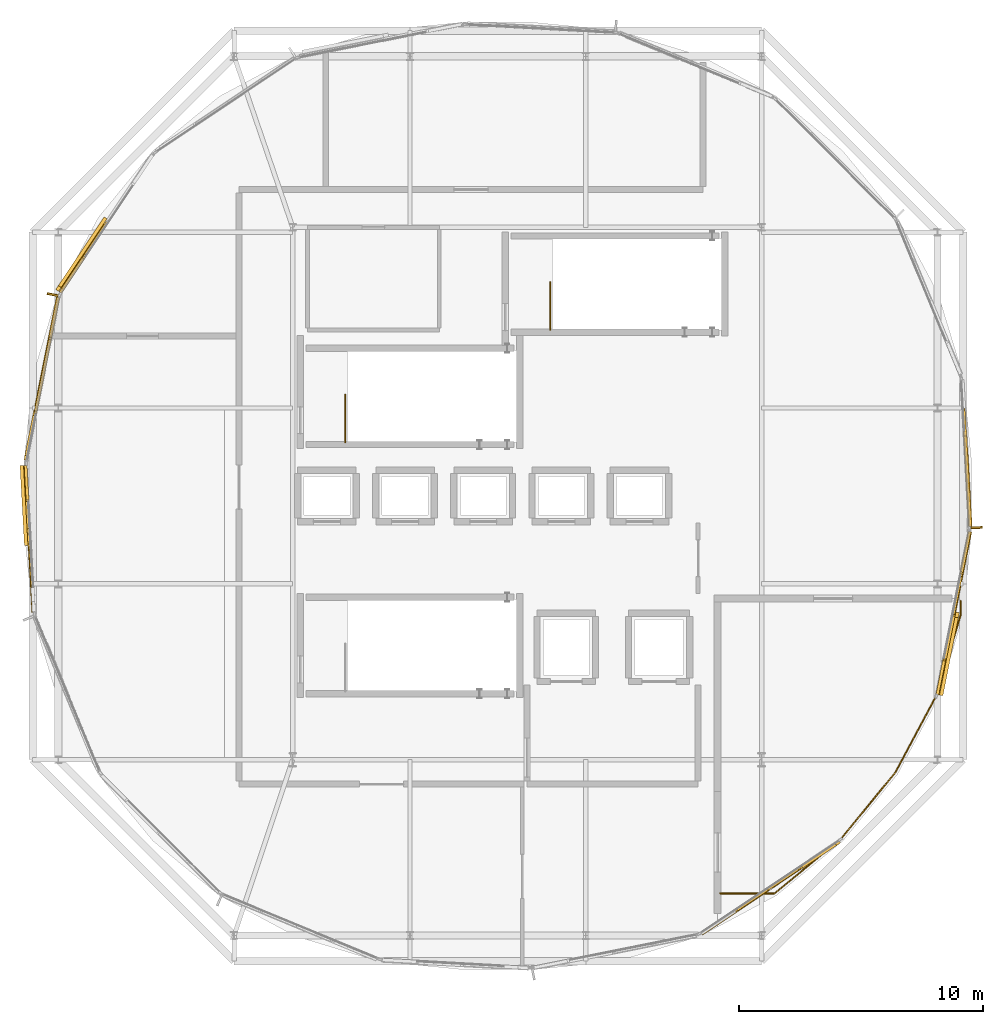
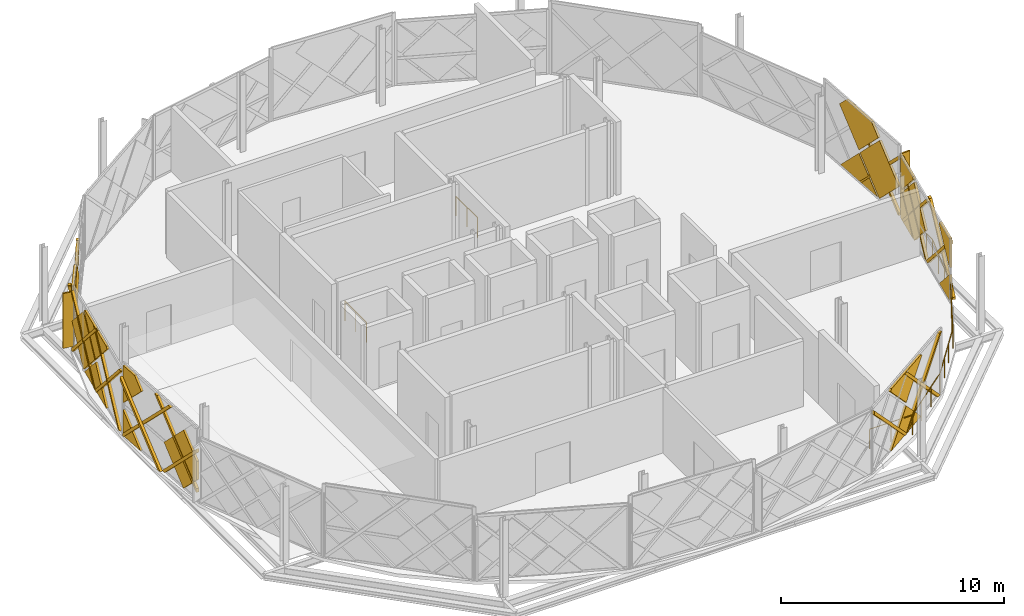
# One storey, part 13 of 15: 38 coverings, 3 railings, 2 shading devices.
"""IFC4 building model written with IfcOpenShell, lengths in metres."""

import ifcopenshell
import ifcopenshell.guid

model = None  # the IFC model being written
_history = None  # IfcOwnerHistory: only IFC2X3 demands one
_inside = {}  # id of a spatial element -> (the spatial element, [elements in it])
_under = {}  # id of a project, library or spatial element -> (it, [spatial elements below it])
_declared = {}  # id of a project -> (the project, [libraries it declares])
_typed = {}  # id of a type object -> (the type object, [elements of that type])
_made_of = {}  # id of a material, layer set ... -> (it, [elements and type objects made of it])


def new_model(schema):
    """Start an empty IFC model of exactly this schema.

    Asked for "IFC4X3", IfcOpenShell would pick the latest addendum, in which some entities
    have other attributes; the version numbers below select the first issue.
    IFC2X3 requires an IfcOwnerHistory on every rooted entity: one is made here for all.
    """
    global model, _history
    if schema == "IFC4X3":
        model = ifcopenshell.file(schema_version=(4, 3, 0, 0))
    else:
        model = ifcopenshell.file(schema=schema)
    _inside.clear()
    _under.clear()
    _declared.clear()
    _typed.clear()
    _made_of.clear()
    _history = None
    if model.schema == "IFC2X3":
        org = make("IfcOrganization", Name="unknown")
        user = make(
            "IfcPersonAndOrganization",
            ThePerson=make("IfcPerson", FamilyName="unknown"),
            TheOrganization=org,
        )
        app = make(
            "IfcApplication",
            ApplicationDeveloper=org,
            Version="unknown",
            ApplicationFullName="unknown",
            ApplicationIdentifier="unknown",
        )
        _history = make(
            "IfcOwnerHistory",
            OwningUser=user,
            OwningApplication=app,
            ChangeAction="ADDED",
            CreationDate=0,
        )
    return model


def make(cls, **values):
    """One entity of the class cls with the attributes given. An attribute that is None is left unset."""
    return model.create_entity(
        cls, **{name: value for name, value in values.items() if value is not None}
    )


def rooted(cls, **values):
    """An entity with a GlobalId (a new one), such as an element, a storey or a relation."""
    return make(cls, GlobalId=ifcopenshell.guid.new(), OwnerHistory=_history, **values)


def si_unit(unit_type, name, prefix=None):
    """IfcSIUnit, for example si_unit("LENGTHUNIT", "METRE", prefix="MILLI")."""
    return make("IfcSIUnit", UnitType=unit_type, Prefix=prefix, Name=name)


def assignment(units):
    """IfcUnitAssignment: the units of a project."""
    return None if units is None else make("IfcUnitAssignment", Units=units)


def point(xyz):
    """IfcCartesianPoint."""
    return None if xyz is None else make("IfcCartesianPoint", Coordinates=xyz)


def direction(xyz):
    """IfcDirection."""
    return None if xyz is None else make("IfcDirection", DirectionRatios=xyz)


def frame(location, z_axis=None, x_axis=None):
    """IfcAxis2Placement3D, a coordinate frame: its origin and axes. An axis left out is left unset."""
    return make(
        "IfcAxis2Placement3D",
        Location=point(location),
        Axis=direction(z_axis),
        RefDirection=direction(x_axis),
    )


def frame_2d(location, x_axis=None):
    """IfcAxis2Placement2D, a coordinate frame in the plane: its origin and x axis."""
    return make(
        "IfcAxis2Placement2D", Location=point(location), RefDirection=direction(x_axis)
    )


def origin():
    """The frame at (0, 0, 0) with its axes left unset."""
    return frame((0.0, 0.0, 0.0))


def origin_2d():
    """The frame at (0, 0) in the plane with its x axis left unset."""
    return frame_2d((0.0, 0.0))


def place(relative_to, where):
    """IfcLocalPlacement: puts the frame where relative to a parent placement (None: the world)."""
    return make(
        "IfcLocalPlacement", PlacementRelTo=relative_to, RelativePlacement=where
    )


def context(
    kind, dimensions, precision=None, world=None, true_north=None, identifier=None
):
    """IfcGeometricRepresentationContext, for example the 3D "Model" context."""
    return make(
        "IfcGeometricRepresentationContext",
        ContextIdentifier=identifier,
        ContextType=kind,
        CoordinateSpaceDimension=dimensions,
        Precision=precision,
        WorldCoordinateSystem=world,
        TrueNorth=true_north,
    )


def subcontext(parent, identifier, kind, view, scale=None):
    """IfcGeometricRepresentationSubContext, for example "Body" below "Model"."""
    return make(
        "IfcGeometricRepresentationSubContext",
        ContextIdentifier=identifier,
        ContextType=kind,
        ParentContext=parent,
        TargetScale=scale,
        TargetView=view,
    )


def project(units=None, contexts=None):
    """IfcProject with its units and contexts."""
    return rooted(
        "IfcProject",
        Name="project",
        RepresentationContexts=contexts,
        UnitsInContext=assignment(units),
    )


def spatial(cls, under=None, at=None, **own):
    """A site, building, storey or space (cls), placed at a placement, below another one or the project."""
    s = rooted(cls, ObjectPlacement=at, **own)
    if under is not None:
        _under.setdefault(under.id(), (under, []))[1].append(s)
    return s


def polyline(points):
    """IfcPolyline through the points."""
    return make("IfcPolyline", Points=[point(p) for p in points])


def profile(cls, at=None, kind="AREA", **sizes):
    """A parametric profile (cls). Its sizes go by their IFC names, for example OverallWidth=200.0."""
    return make(cls, ProfileType=kind, Position=at, **sizes)


def rectangle(**sizes):
    """IfcRectangleProfileDef."""
    return profile("IfcRectangleProfileDef", **sizes)


def circle(**sizes):
    """IfcCircleProfileDef."""
    return profile("IfcCircleProfileDef", **sizes)


def outline(outer, holes=None, kind="AREA"):
    """IfcArbitraryClosedProfileDef: a profile drawn as a closed curve; with holes, ...WithVoids."""
    if holes is None:
        return make("IfcArbitraryClosedProfileDef", ProfileType=kind, OuterCurve=outer)
    return make(
        "IfcArbitraryProfileDefWithVoids",
        ProfileType=kind,
        OuterCurve=outer,
        InnerCurves=holes,
    )


def extrude(swept, where, along, depth):
    """IfcExtrudedAreaSolid: the profile swept, set in the frame where, extruded along a direction by depth."""
    return make(
        "IfcExtrudedAreaSolid",
        SweptArea=swept,
        Position=where,
        ExtrudedDirection=direction(along),
        Depth=depth,
    )


def shape(context_of_items, identifier, shape_type, items):
    """IfcShapeRepresentation: the items that make up one representation, for example the "Body"."""
    return make(
        "IfcShapeRepresentation",
        ContextOfItems=context_of_items,
        RepresentationIdentifier=identifier,
        RepresentationType=shape_type,
        Items=items,
    )


def material(Name=None, Category=None):
    """IfcMaterial."""
    return make("IfcMaterial", Name=Name, Category=Category)


def layer(
    of_material, thickness, ventilated=None, Name=None, Category=None, Priority=None
):
    """IfcMaterialLayer: one layer of a wall or slab, of a material (None: an air gap)."""
    return make(
        "IfcMaterialLayer",
        Material=of_material,
        LayerThickness=thickness,
        IsVentilated=ventilated,
        Name=Name,
        Category=Category,
        Priority=Priority,
    )


def layer_set(layers, Name=None):
    """IfcMaterialLayerSet."""
    return make("IfcMaterialLayerSet", MaterialLayers=layers, LayerSetName=Name)


def made_of(thing, what):
    """Note that an element or type object is made of a material, layer set ...; save() writes the relation."""
    if what is not None:
        _made_of.setdefault(what.id(), (what, []))[1].append(thing)
    return thing


def type_object(cls, material=None, **own):
    """A type object (cls), such as IfcWallType, which elements share."""
    return made_of(rooted(cls, **own), material)


def element(
    cls,
    number,
    at=None,
    inside=None,
    cuts=None,
    type_object=None,
    material=None,
    context=None,
    identifier="Body",
    shape_type=None,
    held_by="IfcProductDefinitionShape",
    body=None,
    shapes=None,
    **own,
):
    """One element of the class cls, such as IfcWall. Its Tag is "e" and its number.

    at: its placement. inside: the storey or other place that contains it. cuts: it is an
    opening in that element (IfcRelVoidsElement). A single representation is given by context,
    identifier, shape_type and body (its items); several are given by shapes. held_by: the class
    of the entity that holds the representations. save() writes the other relations.
    """
    e = rooted(cls, Tag="e%d" % number, ObjectPlacement=at, **own)
    if body is not None:
        shapes = [shape(context, identifier, shape_type, body)]
    if shapes is not None:
        e.Representation = make(held_by, Representations=shapes)
    if inside is not None:
        _inside.setdefault(inside.id(), (inside, []))[1].append(e)
    if cuts is not None:
        rooted(
            "IfcRelVoidsElement", RelatingBuildingElement=cuts, RelatedOpeningElement=e
        )
    if type_object is not None:
        _typed.setdefault(type_object.id(), (type_object, []))[1].append(e)
    return made_of(e, material)


def aggregate(whole, parts):
    """IfcRelAggregates: a whole, such as a stair, and the parts it consists of."""
    return rooted("IfcRelAggregates", RelatingObject=whole, RelatedObjects=parts)


def save(model, path):
    """Write the relations noted so far, then the file.

    IfcRelAggregates (storeys below a building ...), IfcRelContainedInSpatialStructure (elements
    in a storey), IfcRelDefinesByType, IfcRelAssociatesMaterial and IfcRelDeclares: one each for
    every whole, place, type object, material and project.
    """
    for whole, parts in _under.values():
        aggregate(whole, parts)
    for where, things in _inside.values():
        rooted(
            "IfcRelContainedInSpatialStructure",
            RelatedElements=things,
            RelatingStructure=where,
        )
    for kind, things in _typed.values():
        rooted("IfcRelDefinesByType", RelatedObjects=things, RelatingType=kind)
    for what, things in _made_of.values():
        rooted("IfcRelAssociatesMaterial", RelatedObjects=things, RelatingMaterial=what)
    for by, libraries in _declared.values():
        rooted("IfcRelDeclares", RelatingContext=by, RelatedDefinitions=libraries)
    model.write(path)


model = new_model("IFC4")

# Units and contexts
model_context = context("Model", 3, precision=1e-05, world=origin(), true_north=direction((0.0, 1.0)))
body_context = subcontext(model_context, "Body", "Model", "MODEL_VIEW")
ifc_project = project(units=[si_unit("LENGTHUNIT", "METRE"), si_unit("AREAUNIT", "SQUARE_METRE"), si_unit("VOLUMEUNIT", "CUBIC_METRE"), si_unit("PLANEANGLEUNIT", "RADIAN"), si_unit("MASSUNIT", "GRAM", prefix="KILO")], contexts=[model_context])

# Site, building, storey
site_placement = place(None, origin())
site = spatial("IfcSite", under=ifc_project, at=site_placement, CompositionType="ELEMENT")
building_placement = place(site_placement, origin())
building = spatial("IfcBuilding", under=site, at=building_placement, Name="Zevrakil Square Congress Hotel", CompositionType="ELEMENT")
storey_placement = place(building_placement, frame((0.0, 0.0, 41.89990234375)))
storey = spatial("IfcBuildingStorey", under=building, at=storey_placement, Name="L12", CompositionType="ELEMENT", Elevation=41.89990234375)

# Coverings
ifc_material_1 = material(Name="Architectural White Fibre-C GRC", Category="concrete")
ifc_layer_1 = layer(ifc_material_1, 0.06494140625)
ifc_layer_set_1 = layer_set([ifc_layer_1], Name="Architectural White Fibre-C GRC")
covering_type_1 = type_object("IfcCoveringType", Name="COV-DIA-WHITE", PredefinedType="CLADDING", material=ifc_layer_set_1)
covering_1_placement = place(storey_placement, frame((156.273193359375, 11.444091796875, 1.590087890625), z_axis=(0.555613914811, -0.831440290097, 0.000470819983), x_axis=(0.588097690414, 0.392598652582, -0.707112016954)))
element("IfcCovering", 1, at=covering_1_placement, inside=storey, type_object=covering_type_1, Name="L12 45-degree white GRC diamond facade cassette 3372", PredefinedType="CLADDING", context=body_context, shape_type="SweptSolid", body=[
    extrude(outline(polyline([(0.0, 0.0), (2.135460477860268, 0.0), (-1.6886667050464155e-05, -2.135509462522048), (0.0, 0.0)])), origin(), (0.0, 0.0, -1.0), 0.1201171875),
])
covering_2_placement = place(storey_placement, frame((157.594482421875, 12.32861328125, 3.360107421875), z_axis=(0.555602557104, -0.831447831009, 0.000550318214), x_axis=(-0.587707157444, -0.393194522153, -0.707105624952)))
element("IfcCovering", 2, at=covering_2_placement, inside=storey, type_object=covering_type_1, Name="L12 45-degree white GRC diamond facade cassette 3374", PredefinedType="CLADDING", context=body_context, shape_type="SweptSolid", body=[
    extrude(outline(polyline([(0.0, 0.0), (2.2487276215310716, 2.220446049250313e-16), (2.2486370292819764, -2.2486303541890917), (2.107042840324609, -2.248595837797637), (3.495739969403e-05, -0.1415941680231837), (0.0, 0.0)])), origin(), (0.0, 0.0, -1.0), 0.1201171875),
])
covering_3_placement = place(storey_placement, frame((163.531982421875, 20.83544921875, 0.080078125), z_axis=(0.98077978732, -0.195117179225, 0.000543282518), x_axis=(-0.19511720802, -0.980779932061, 0.0)))
element("IfcCovering", 3, at=covering_3_placement, inside=storey, type_object=covering_type_1, Name="L12 45-degree white GRC diamond facade cassette 3379", PredefinedType="CLADDING", context=body_context, shape_type="SweptSolid", body=[
    extrude(outline(polyline([(0.0, 0.0), (1.4101600118571058, -2.710505431213761e-20), (1.4100634717428475, -1.4099123174469808), (0.0, 0.0)])), origin(), (0.0, 0.0, -1.0), 0.1201171875),
])
covering_4_placement = place(storey_placement, frame((164.547607421875, 25.9453125, 1.590087890625), z_axis=(0.980810810578, -0.194961039846, 0.000588893692), x_axis=(0.138313694839, 0.693693975851, -0.706864902006)))
element("IfcCovering", 4, at=covering_4_placement, inside=storey, type_object=covering_type_1, Name="L12 45-degree white GRC diamond facade cassette 3380", PredefinedType="CLADDING", context=body_context, shape_type="SweptSolid", body=[
    extrude(outline(polyline([(0.0, 0.0), (0.2628378948299487, 2.7755575615628914e-17), (1.1988473648698696, -0.9367190252322994), (-0.0005809603266280217, -2.135327424692421), (0.0, 0.0)])), origin(), (0.0, 0.0, -1.0), 0.1201171875),
])
covering_5_placement = place(storey_placement, frame((164.21875, 24.2978515625, 3.27001953125), z_axis=(0.980786643157, -0.195082493954, 0.000617380087), x_axis=(0.13838100073, 0.693479503733, -0.707062144751)))
element("IfcCovering", 5, at=covering_5_placement, inside=storey, type_object=covering_type_1, Name="L12 45-degree white GRC diamond facade cassette 3381", PredefinedType="CLADDING", context=body_context, shape_type="SweptSolid", body=[
    extrude(outline(polyline([(0.0, 0.0), (2.248520427707039, 0.0), (2.24851025485413, -2.24859305948536), (-0.00021657987084888752, -2.2484539862824393), (0.0, 0.0)])), origin(), (0.0, 0.0, -1.0), 0.1201171875),
])
covering_6_placement = place(storey_placement, frame((163.545654296875, 20.914306640625, 3.360107421875), z_axis=(0.980783225224, -0.195099732546, 0.000599566397), x_axis=(-0.137546593624, -0.693631553686, -0.707075810867)))
element("IfcCovering", 6, at=covering_6_placement, inside=storey, type_object=covering_type_1, Name="L12 45-degree white GRC diamond facade cassette 3382", PredefinedType="CLADDING", context=body_context, shape_type="SweptSolid", body=[
    extrude(outline(polyline([(0.0, 0.0), (2.1072567363946777, 0.0), (0.9829090309855207, -1.124376604088533), (-1.4030855387828223e-05, -0.1415392405659936), (0.0, 0.0)])), origin(), (0.0, 0.0, -1.0), 0.1201171875),
])
covering_7_placement = place(storey_placement, frame((164.54736328125, 25.945556640625, 1.77001953125), z_axis=(0.980796114926, -0.195034594535, 0.000698484779), x_axis=(-0.138392830653, -0.693421805028, 0.707116415264)))
element("IfcCovering", 7, at=covering_7_placement, inside=storey, type_object=covering_type_1, Name="L12 45-degree white GRC diamond facade cassette 3383", PredefinedType="CLADDING", context=body_context, shape_type="SweptSolid", body=[
    extrude(outline(polyline([(0.0, 0.0), (2.2486930536081644, -4.440892098500626e-16), (2.248748993797392, -0.1415056721594241), (1.064000417164113, -1.3262869885047448), (8.319983588322977e-05, -0.2626686333815287), (0.0, 0.0)])), origin(), (0.0, 0.0, -1.0), 0.1201171875),
])
covering_8_placement = place(storey_placement, frame((164.418701171875, 29.60400390625, 1.590087890625), z_axis=(0.998460888271, 0.055456575933, 0.000650213717), x_axis=(-0.038755609805, 0.706060903114, -0.707089813109)))
element("IfcCovering", 8, at=covering_8_placement, inside=storey, type_object=covering_type_1, Name="L12 45-degree white GRC diamond facade cassette 3388", PredefinedType="CLADDING", context=body_context, shape_type="SweptSolid", body=[
    extrude(outline(polyline([(0.0, 0.0), (2.135527535018303, 0.0), (-5.80548174178297e-06, -2.135431756369319), (0.0, 0.0)])), origin(), (0.0, 0.0, -1.0), 0.1201171875),
])
covering_9_placement = place(storey_placement, frame((164.5107421875, 27.926513671875, 3.27001953125), z_axis=(0.998461108085, 0.055453013416, 0.000615584083), x_axis=(-0.038778997556, 0.706085669274, -0.707063799805)))
element("IfcCovering", 9, at=covering_9_placement, inside=storey, type_object=covering_type_1, Name="L12 45-degree white GRC diamond facade cassette 3389", PredefinedType="CLADDING", context=body_context, shape_type="SweptSolid", body=[
    extrude(outline(polyline([(0.0, 0.0), (2.248515301207359, 0.0), (2.248511192906816, -2.248592121458437), (0.013987498737430881, -2.248412108657708), (-0.00016758709850495102, -2.2342553073038243), (0.0, 0.0)])), origin(), (0.0, 0.0, -1.0), 0.1201171875),
])
covering_10_placement = place(storey_placement, frame((164.32958984375, 31.19140625, 3.360107421875), z_axis=(0.998465891885, 0.055366096992, 0.000676791673), x_axis=(0.03962530668, -0.705954135799, -0.707148211635)))
element("IfcCovering", 10, at=covering_10_placement, inside=storey, type_object=covering_type_1, Name="L12 45-degree white GRC diamond facade cassette 3390", PredefinedType="CLADDING", context=body_context, shape_type="SweptSolid", body=[
    extrude(outline(polyline([(0.0, 0.0), (2.248592121651144, 0.0), (2.2484139116657342, -2.248678474069968), (1.4635271471982523, -2.2485374691506923), (-0.0001524445532873342, -0.7846858017921381), (0.0, 0.0)])), origin(), (0.0, 0.0, -1.0), 0.1201171875),
])
covering_11_placement = place(storey_placement, frame((127.336181640625, 36.116943359375, 1.590087890625), z_axis=(-0.83149600157, 0.555530546087, 0.000460149731), x_axis=(-0.392959632916, -0.587580436143, -0.707341471964)))
element("IfcCovering", 11, at=covering_11_placement, inside=storey, type_object=covering_type_1, Name="L12 45-degree white GRC diamond facade cassette 3444", PredefinedType="CLADDING", context=body_context, shape_type="SweptSolid", body=[
    extrude(outline(polyline([(0.0, 0.0), (0.26266104016860925, 2.7755575615628914e-17), (1.1993843025622417, -0.9360048723062939), (0.0008210011669953499, -2.1353644814832715), (0.0, 0.0)])), origin(), (0.0, 0.0, -1.0), 0.1201171875),
])
covering_12_placement = place(storey_placement, frame((128.2705078125, 37.51318359375, 3.27001953125), z_axis=(-0.831447252819, 0.555603302738, 0.000660126471), x_axis=(-0.393289765687, -0.587708802957, -0.707051287484)))
element("IfcCovering", 12, at=covering_12_placement, inside=storey, type_object=covering_type_1, Name="L12 45-degree white GRC diamond facade cassette 3445", PredefinedType="CLADDING", context=body_context, shape_type="SweptSolid", body=[
    extrude(outline(polyline([(0.0, 0.0), (2.248554996538099, 2.220446049250313e-16), (2.2483294687082087, -2.2487739437146597), (-0.00025466417865205315, -2.248457708989564), (0.0, 0.0)])), origin(), (0.0, 0.0, -1.0), 0.1201171875),
])
covering_13_placement = place(storey_placement, frame((127.336181640625, 36.11669921875, 1.77001953125), z_axis=(-0.831410617564, 0.555658230942, 0.000561594672), x_axis=(0.393240521858, 0.587676417287, 0.707105593623)))
element("IfcCovering", 13, at=covering_13_placement, inside=storey, type_object=covering_type_1, Name="L12 45-degree white GRC diamond facade cassette 3447", PredefinedType="CLADDING", context=body_context, shape_type="SweptSolid", body=[
    extrude(outline(polyline([(0.0, 0.0), (2.2487276240756104, -2.220446049250313e-16), (2.2489321438622762, -0.14135474365912315), (1.0639495599208637, -1.326333748480537), (0.00018270527290653593, -0.26256509025899477), (0.0, 0.0)])), origin(), (0.0, 0.0, -1.0), 0.1201171875),
])
covering_14_placement = place(storey_placement, frame((126.508056640625, 32.550048828125, 1.590087890625), z_axis=(-0.980775849818, 0.195136643984, 0.000650068185), x_axis=(-0.138441050637, -0.693462768921, -0.707066802798)))
element("IfcCovering", 14, at=covering_14_placement, inside=storey, type_object=covering_type_1, Name="L12 45-degree white GRC diamond facade cassette 3452", PredefinedType="CLADDING", context=body_context, shape_type="SweptSolid", body=[
    extrude(outline(polyline([(0.0, 0.0), (2.1355970322025484, 2.220446049250313e-16), (-0.00014038760997481248, -2.135496842071842), (0.0, 0.0)])), origin(), (0.0, 0.0, -1.0), 0.1201171875),
])
covering_15_placement = place(storey_placement, frame((126.836669921875, 34.197509765625, 3.27001953125), z_axis=(-0.98078722774, 0.195079513336, 0.000630379573), x_axis=(-0.138387909042, -0.693478130116, -0.707062139902)))
element("IfcCovering", 15, at=covering_15_placement, inside=storey, type_object=covering_type_1, Name="L12 45-degree white GRC diamond facade cassette 3453", PredefinedType="CLADDING", context=body_context, shape_type="SweptSolid", body=[
    extrude(outline(polyline([(0.0, 0.0), (2.2485204268085055, 0.0), (2.248340947077739, -2.2487623880298835), (0.013903480301973081, -2.248490761416264), (-0.00025157230347883086, -2.2343339270969453), (0.0, 0.0)])), origin(), (0.0, 0.0, -1.0), 0.1201171875),
])
covering_16_placement = place(storey_placement, frame((126.19873046875, 30.990234375, 3.360107421875), z_axis=(-0.980786789423, 0.195081316893, 0.000743970304), x_axis=(0.137431819154, 0.693645933616, -0.707084021784)))
element("IfcCovering", 16, at=covering_16_placement, inside=storey, type_object=covering_type_1, Name="L12 45-degree white GRC diamond facade cassette 3454", PredefinedType="CLADDING", context=body_context, shape_type="SweptSolid", body=[
    extrude(outline(polyline([(0.0, 0.0), (2.2487959518112532, 2.220446049250313e-16), (2.248667249613448, -2.2485237508599925), (2.107330925876984, -2.2487515452230444), (1.7869563929531762e-05, -0.14157303768129814), (0.0, 0.0)])), origin(), (0.0, 0.0, -1.0), 0.1201171875),
])
covering_17_placement = place(storey_placement, frame((125.8779296875, 27.443115234375, 0.080078125), z_axis=(-0.998463414112, -0.055412468352, 0.000518682293), x_axis=(-0.055412475806, 0.998463548421, 0.0)))
element("IfcCovering", 17, at=covering_17_placement, inside=storey, type_object=covering_type_1, Name="L12 45-degree white GRC diamond facade cassette 3459", PredefinedType="CLADDING", context=body_context, shape_type="SweptSolid", body=[
    extrude(outline(polyline([(0.0, 0.0), (1.4098810577275969, 6.776263578034403e-21), (1.409840472418169, -1.4099122990302972), (0.0, 0.0)])), origin(), (0.0, 0.0, -1.0), 0.1201171875),
])
covering_18_placement = place(storey_placement, frame((126.073486328125, 23.91845703125, 0.090087890625), z_axis=(-0.998460618618, -0.0554616513, 0.000631113979), x_axis=(-0.038771097402, 0.706031737026, 0.707118086544)))
element("IfcCovering", 18, at=covering_18_placement, inside=storey, type_object=covering_type_1, Name="L12 45-degree white GRC diamond facade cassette 3460", PredefinedType="CLADDING", context=body_context, shape_type="SweptSolid", body=[
    extrude(outline(polyline([(0.0, 0.0), (2.2486879309855077, 2.220446049250313e-16), (2.2486838232897752, -2.2484194836273446), (0.7152311075133274, -2.2485661465221063), (2.777916602558772e-05, -1.5336732561356485), (0.0, 0.0)])), origin(), (0.0, 0.0, -1.0), 0.1201171875),
])
covering_19_placement = place(storey_placement, frame((125.88427734375, 27.36328125, 3.360107421875), z_axis=(-0.998460503938, -0.055463316096, 0.000665313886), x_axis=(-0.039690083226, 0.706026217484, -0.707072611206)))
element("IfcCovering", 19, at=covering_19_placement, inside=storey, type_object=covering_type_1, Name="L12 45-degree white GRC diamond facade cassette 3461", PredefinedType="CLADDING", context=body_context, shape_type="SweptSolid", body=[
    extrude(outline(polyline([(0.0, 0.0), (2.107266094727944, -4.440892098500626e-16), (0.6613093950500104, -1.446000057935607), (0.00010376922300936453, -0.7848581719033845), (0.0, 0.0)])), origin(), (0.0, 0.0, -1.0), 0.1201171875),
])
ifc_material_2 = material(Name="Anodised Champagne Aluminium", Category="aluminium")
ifc_layer_2 = layer(ifc_material_2, 0.0849609375)
ifc_layer_set_2 = layer_set([ifc_layer_2], Name="Anodised Champagne Aluminium")
covering_type_2 = type_object("IfcCoveringType", Name="COV-DIAGRID-45", PredefinedType="MOLDING", material=ifc_layer_set_2)
covering_20_placement = place(storey_placement, frame((156.442138671875, 11.526123046875, 0.080078125), z_axis=(0.555428086845, -0.831564209921, 0.000777896343), x_axis=(-0.831564461277, -0.555428255259, -5.6098e-07)))
element("IfcCovering", 20, at=covering_20_placement, inside=storey, type_object=covering_type_2, Name="L12 45-degree aluminium diagrid rib 3376", PredefinedType="MOLDING", context=body_context, shape_type="SweptSolid", body=[
    extrude(outline(polyline([(0.0, 0.0), (0.21207553426084086, -1.3552527156068805e-20), (-3.167863575958578, -3.3801262102758773), (-3.359760518577808, -3.380125971968349), (-3.3597605070733447, -3.3596181656732247), (0.0, 0.0)])), origin(), (0.0, 0.0, -1.0), 0.14501953125),
])
covering_21_placement = place(storey_placement, frame((153.575927734375, 9.613037109375, 3.154052734375), z_axis=(0.556213109882, -0.831038562079, 0.001372855951), x_axis=(-0.001026421277, 0.000964992065, 0.999999007624)))
element("IfcCovering", 21, at=covering_21_placement, inside=storey, type_object=covering_type_2, Name="L12 45-degree aluminium diagrid rib 3377", PredefinedType="MOLDING", context=body_context, shape_type="SweptSolid", body=[
    extrude(outline(polyline([(0.0, 0.0), (0.21215847876926233, 2.710505431213761e-20), (-3.075016569942956, -3.285041773255902), (-3.0749494349344797, -3.0729661997775763), (0.0, 0.0)])), origin(), (0.0, 0.0, -1.0), 0.14501953125),
])
covering_22_placement = place(storey_placement, frame((156.114990234375, 11.309814453125, 3.460205078125), z_axis=(0.555761702849, -0.831341263579, 0.000795686425), x_axis=(0.83134152686, 0.555761878612, -2.54293e-07)))
element("IfcCovering", 22, at=covering_22_placement, inside=storey, type_object=covering_type_2, Name="L12 45-degree aluminium diagrid rib 3378", PredefinedType="MOLDING", context=body_context, shape_type="SweptSolid", body=[
    extrude(outline(polyline([(0.0, 0.0), (0.2122785427952238, 2.710505431213761e-20), (3.592144568090987, -3.3801271096755876), (3.380068989535719, -3.3801272175859336), (0.0, 0.0)])), origin(), (0.0, 0.0, -1.0), 0.14501953125),
])
covering_23_placement = place(storey_placement, frame((163.298095703125, 19.531982421875, 0.080078125), z_axis=(-0.980964860063, 0.19418509568, 0.000303211403), x_axis=(-0.194185104483, -0.980964905181, 4.14837e-07)))
element("IfcCovering", 23, at=covering_23_placement, inside=storey, type_object=covering_type_2, Name="L12 45-degree aluminium diagrid rib 3384", PredefinedType="MOLDING", context=body_context, shape_type="SweptSolid", body=[
    extrude(outline(polyline([(0.0, 0.0), (0.08608848737731137, 8.470329472543003e-22), (0.08608853973829138, 0.12622069732280283), (-3.1679293880480106, 3.3801284352218937), (-3.3799897840128135, 3.3801285481658074), (0.0, 0.0)])), origin(), (0.0, 0.0, -1.0), 0.14501953125),
])
covering_24_placement = place(storey_placement, frame((163.95361328125, 22.827392578125, 0.080078125), z_axis=(0.980750151064, -0.195265275533, 0.000783172567), x_axis=(-0.195265334988, -0.980750451925, -5.58337e-07)))
element("IfcCovering", 24, at=covering_24_placement, inside=storey, type_object=covering_type_2, Name="L12 45-degree aluminium diagrid rib 3385", PredefinedType="MOLDING", context=body_context, shape_type="SweptSolid", body=[
    extrude(outline(polyline([(0.0, 0.0), (0.2120603580696635, 6.776263578034403e-21), (-3.1678842584124247, -3.3801262326140558), (-3.3595953691474456, -3.3801259953145464), (-3.3595953576971733, -3.359618189103879), (0.0, 0.0)])), origin(), (0.0, 0.0, -1.0), 0.14501953125),
])
covering_25_placement = place(storey_placement, frame((163.279541015625, 19.447998046875, 3.154052734375), z_axis=(0.980666192949, -0.195688062447, 1.493257e-05), x_axis=(-1.4643867e-05, 2.922126e-06, 0.999999999889)))
element("IfcCovering", 25, at=covering_25_placement, inside=storey, type_object=covering_type_2, Name="L12 45-degree aluminium diagrid rib 3386", PredefinedType="MOLDING", context=body_context, shape_type="SweptSolid", body=[
    extrude(outline(polyline([(0.0, 0.0), (0.2121582031013463, 0.0), (-3.07397460971772, -3.28595103484317), (-3.073974609765027, -3.0738429862334877), (0.0, 0.0)])), origin(), (0.0, 0.0, -1.0), 0.14501953125),
])
covering_26_placement = place(storey_placement, frame((163.875244140625, 22.443115234375, 3.460205078125), z_axis=(0.980932024582, -0.194346438633, 0.001350903378), x_axis=(0.194346615969, 0.980932919654, 0.0)))
element("IfcCovering", 26, at=covering_26_placement, inside=storey, type_object=covering_type_2, Name="L12 45-degree aluminium diagrid rib 3387", PredefinedType="MOLDING", context=body_context, shape_type="SweptSolid", body=[
    extrude(outline(polyline([(0.0, 0.0), (0.21229989222749768, 0.0), (3.5923319314866977, -3.3801300373935548), (3.3800320392591994, -3.3801300373935548), (0.0, 0.0)])), origin(), (0.0, 0.0, -1.0), 0.14501953125),
])
covering_27_placement = place(storey_placement, frame((164.62060546875, 26.436279296875, 0.080078125), z_axis=(0.998472662168, 0.055242550157, 0.000776888443), x_axis=(0.055242566109, -0.998472963524, 9.26383e-07)))
element("IfcCovering", 27, at=covering_27_placement, inside=storey, type_object=covering_type_2, Name="L12 45-degree aluminium diagrid rib 3391", PredefinedType="MOLDING", context=body_context, shape_type="SweptSolid", body=[
    extrude(outline(polyline([(0.0, 0.0), (0.08581875462721472, 4.235164736271502e-22), (0.08580538460133501, -0.12622085442722167), (-3.6231252841586876, -3.834965450647536), (-3.8351328391183652, -3.834965842383259), (0.0, 0.0)])), origin(), (0.0, 0.0, -1.0), 0.14501953125),
])
covering_28_placement = place(storey_placement, frame((164.623291015625, 26.350341796875, 3.154052734375), z_axis=(0.998485495472, 0.05501522698, 0.000200329993), x_axis=(-0.000200026597, -1.10212e-05, 0.999999979934)))
element("IfcCovering", 28, at=covering_28_placement, inside=storey, type_object=covering_type_2, Name="L12 45-degree aluminium diagrid rib 3393", PredefinedType="MOLDING", context=body_context, shape_type="SweptSolid", body=[
    extrude(outline(polyline([(0.0, 0.0), (0.21215819886782217, 0.0), (-3.0739746710575395, -3.2861930094606313), (-3.0739746795718954, -3.0739551778178584), (0.0, 0.0)])), origin(), (0.0, 0.0, -1.0), 0.14501953125),
])
covering_29_placement = place(storey_placement, frame((129.078125, 38.770263671875, 0.080078125), z_axis=(0.831859729381, -0.554985919819, 0.000139417943), x_axis=(0.554985925207, 0.831859737469, 4.7882e-08)))
element("IfcCovering", 29, at=covering_29_placement, inside=storey, type_object=covering_type_2, Name="L12 45-degree aluminium diagrid rib 3449", PredefinedType="MOLDING", context=body_context, shape_type="SweptSolid", body=[
    extrude(outline(polyline([(0.0, 0.0), (0.21214301907712874, 0.0), (-3.167926050498587, 3.380127137402157), (-3.359619964550726, 3.3801271562828124), (-3.359619965532683, 3.3596193439821214), (0.0, 0.0)])), origin(), (0.0, 0.0, -1.0), 0.14501953125),
])
covering_30_placement = place(storey_placement, frame((129.297607421875, 39.09521484375, 3.460205078125), z_axis=(-0.83134147693, 0.555761845477, 0.000346191002), x_axis=(-0.555761878749, -0.831341526768, 1.10639e-07)))
element("IfcCovering", 30, at=covering_30_placement, inside=storey, type_object=covering_type_2, Name="L12 45-degree aluminium diagrid rib 3451", PredefinedType="MOLDING", context=body_context, shape_type="SweptSolid", body=[
    extrude(outline(polyline([(0.0, 0.0), (0.21227854279521824, 0.0), (3.5920805490958974, -3.3801275531005475), (3.3800049705406128, -3.380127506150405), (0.0, 0.0)])), origin(), (0.0, 0.0, -1.0), 0.14501953125),
])
covering_31_placement = place(storey_placement, frame((127.101806640625, 35.66796875, 0.080078125), z_axis=(-0.980853910009, 0.194744824434, 0.000246121328), x_axis=(0.194744830217, 0.98085393974, -4.77171e-07)))
element("IfcCovering", 31, at=covering_31_placement, inside=storey, type_object=covering_type_2, Name="L12 45-degree aluminium diagrid rib 3455", PredefinedType="MOLDING", context=body_context, shape_type="SweptSolid", body=[
    extrude(outline(polyline([(0.0, 0.0), (0.08608840615351654, 0.0), (0.08613589104919417, -0.12622075826248083), (-3.167932495828682, -3.380125521581619), (-3.379992904267445, -3.380125429903232), (0.0, 0.0)])), origin(), (0.0, 0.0, -1.0), 0.14501953125),
])
covering_32_placement = place(storey_placement, frame((126.4462890625, 32.37255859375, 0.080078125), z_axis=(-0.980639862696, 0.195815353968, 0.001344188357), x_axis=(0.195815530615, 0.980640748679, -1.94799e-07)))
element("IfcCovering", 32, at=covering_32_placement, inside=storey, type_object=covering_type_2, Name="L12 45-degree aluminium diagrid rib 3456", PredefinedType="MOLDING", context=body_context, shape_type="SweptSolid", body=[
    extrude(outline(polyline([(0.0, 0.0), (0.2121080464060432, 0.0), (-3.167881037577018, -3.3801292496328745), (-3.3595444049273624, -3.3801294551187566), (-3.359592207458499, -3.359621339318804), (0.0, 0.0)])), origin(), (0.0, 0.0, -1.0), 0.14501953125),
])
covering_33_placement = place(storey_placement, frame((127.120361328125, 35.752197265625, 3.154052734375), z_axis=(-0.98090821436, 0.194467240255, 0.001251986105), x_axis=(0.001052091919, -0.001131187984, 0.999998806757)))
element("IfcCovering", 33, at=covering_33_placement, inside=storey, type_object=covering_type_2, Name="L12 45-degree aluminium diagrid rib 3457", PredefinedType="MOLDING", context=body_context, shape_type="SweptSolid", body=[
    extrude(outline(polyline([(0.0, 0.0), (0.21215848299612639, 2.710505431213761e-20), (-3.0710018194626145, -3.288921022886809), (-3.071193706334671, -3.076860698816999), (0.0, 0.0)])), origin(), (0.0, 0.0, -1.0), 0.14501953125),
])
covering_34_placement = place(storey_placement, frame((126.52490234375, 32.7568359375, 3.460205078125), z_axis=(-0.980822827594, 0.194899729516, 0.000822378023), x_axis=(-0.194899795796, -0.980823159187, -4.63687e-07)))
element("IfcCovering", 34, at=covering_34_placement, inside=storey, type_object=covering_type_2, Name="L12 45-degree aluminium diagrid rib 3458", PredefinedType="MOLDING", context=body_context, shape_type="SweptSolid", body=[
    extrude(outline(polyline([(0.0, 0.0), (0.21234744142388193, 0.0), (3.592383085673981, -3.3801264303828273), (3.380083227208057, -3.3801266272864012), (0.0, 0.0)])), origin(), (0.0, 0.0, -1.0), 0.14501953125),
])
covering_35_placement = place(storey_placement, frame((125.779541015625, 28.763671875, 0.080078125), z_axis=(-0.998476164701, -0.055178479307, 0.000827010013), x_axis=(-0.055178497301, 0.998476506201, 1.059891e-06)))
element("IfcCovering", 35, at=covering_35_placement, inside=storey, type_object=covering_type_2, Name="L12 45-degree aluminium diagrid rib 3463", PredefinedType="MOLDING", context=body_context, shape_type="SweptSolid", body=[
    extrude(outline(polyline([(0.0, 0.0), (0.08606252969514565, 0.0), (0.08606266347539127, -0.12622065996087684), (-3.6228808048942547, -3.834966132660154), (-3.8351186406492683, -3.83496636405737), (0.0, 0.0)])), origin(), (0.0, 0.0, -1.0), 0.14501953125),
])
covering_36_placement = place(storey_placement, frame((125.9658203125, 25.40869140625, 0.080078125), z_axis=(-0.998484609398, -0.055023351913, 0.000956838687), x_axis=(-0.055023377277, 0.998485066465, -1.83802e-07)))
element("IfcCovering", 36, at=covering_36_placement, inside=storey, type_object=covering_type_2, Name="L12 45-degree aluminium diagrid rib 3464", PredefinedType="MOLDING", context=body_context, shape_type="SweptSolid", body=[
    extrude(outline(polyline([(0.0, 0.0), (0.21223783198258012, 0.0), (-2.578272090091001, -2.790528147278279), (-2.578258617654103, -2.5783698080261614), (0.0, 0.0)])), origin(), (0.0, 0.0, -1.0), 0.14501953125),
])
covering_37_placement = place(storey_placement, frame((125.776611328125, 28.849609375, 3.154052734375), z_axis=(0.998514078236, 0.054493153998, 0.000362949182), x_axis=(-0.000362409892, -1.9778247e-05, 0.999999934134)))
element("IfcCovering", 37, at=covering_37_placement, inside=storey, type_object=covering_type_2, Name="L12 45-degree aluminium diagrid rib 3465", PredefinedType="MOLDING", context=body_context, shape_type="SweptSolid", body=[
    extrude(outline(polyline([(0.0, 0.0), (0.21215818915097578, -7.1881995230858105e-22), (-3.0739748118455994, 3.285949104387213), (-3.0739748397936486, 3.0739684058378662), (0.0, 0.0)])), origin(), (0.0, 0.0, -1.0), 0.14501953125),
])
covering_38_placement = place(storey_placement, frame((125.921142578125, 26.254638671875, 3.9150390625), z_axis=(-0.998451173305, -0.055629287464, 0.00079806129), x_axis=(0.055629304956, -0.998451491275, -2.8026e-07)))
element("IfcCovering", 38, at=covering_38_placement, inside=storey, type_object=covering_type_2, Name="L12 45-degree aluminium diagrid rib 3466", PredefinedType="MOLDING", context=body_context, shape_type="SweptSolid", body=[
    extrude(outline(polyline([(0.0, 0.0), (0.21199405507169045, -1.6940658945086007e-21), (3.425328416649273, -3.2131348288683013), (3.4253148947354606, -3.4252931589725875), (0.0, 0.0)])), origin(), (0.0, 0.0, -1.0), 0.14501953125),
])

# Railings
ifc_material_3 = material(Name="Steel S355", Category="steel")
railing_type_1 = type_object("IfcRailingType", Name="RLG-STAIR-GUARD-1100", PredefinedType="BALUSTRADE", material=ifc_material_3)
railing_1_placement = place(storey_placement, frame((138.949951171875, 29.800048828125, 0.0)))
element("IfcRailing", 39, at=railing_1_placement, inside=storey, type_object=railing_type_1, Name="L12 ST02 top well guard 1", PredefinedType="BALUSTRADE", context=body_context, shape_type="SweptSolid", body=[
    extrude(circle(Radius=0.02392578125, at=origin_2d()), frame((0.0, 0.0, 1.076171875), z_axis=(0.0, 1.0, 0.0), x_axis=(-1.0, 0.0, 0.0)), (0.0, 0.0, 1.0), 1.949951171875),
    extrude(circle(Radius=0.02099609375, at=origin_2d()), origin(), (0.0, 0.0, 1.0), 1.052001953125),
    extrude(circle(Radius=0.02099609375, at=origin_2d()), frame((0.0, 0.97509765625, 0.0)), (0.0, 0.0, 1.0), 1.052001953125),
    extrude(circle(Radius=0.02099609375, at=origin_2d()), frame((0.0, 1.949951171875, 0.0)), (0.0, 0.0, 1.0), 1.052001953125),
])
railing_2_placement = place(storey_placement, frame((147.35009765625, 34.39990234375, 0.0)))
element("IfcRailing", 40, at=railing_2_placement, inside=storey, type_object=railing_type_1, Name="L12 ST03 top well guard 1", PredefinedType="BALUSTRADE", context=body_context, shape_type="SweptSolid", body=[
    extrude(circle(Radius=0.02392578125, at=origin_2d()), frame((0.0, 0.0, 1.076171875), z_axis=(0.0, 1.0, 0.0), x_axis=(-1.0, 0.0, 0.0)), (0.0, 0.0, 1.0), 1.9501953125),
    extrude(circle(Radius=0.02099609375, at=origin_2d()), origin(), (0.0, 0.0, 1.0), 1.052001953125),
    extrude(circle(Radius=0.02099609375, at=origin_2d()), frame((0.0, 0.97509765625, 0.0)), (0.0, 0.0, 1.0), 1.052001953125),
    extrude(circle(Radius=0.02099609375, at=origin_2d()), frame((0.0, 1.9501953125, 0.0)), (0.0, 0.0, 1.0), 1.052001953125),
])
ifc_material_4 = material(Name="Steel S355", Category="steel")
railing_type_2 = type_object("IfcRailingType", Name="RLG-TERR-1100", PredefinedType="BALUSTRADE", material=ifc_material_4)
railing_3_placement = place(storey_placement, frame((154.300048828125, 11.32421875, 0.0)))
element("IfcRailing", 41, at=railing_3_placement, inside=storey, type_object=railing_type_2, Name="L12 terrace and void safety balustrade guard 45", PredefinedType="BALUSTRADE", context=body_context, shape_type="SweptSolid", body=[
    extrude(circle(Radius=0.02392578125, at=origin_2d()), frame((0.0, 0.0, 1.076171875), z_axis=(1.0, 0.0, 0.0), x_axis=(0.0, 1.0, 0.0)), (0.0, 0.0, 1.0), 2.223388671875),
    extrude(circle(Radius=0.02392578125, at=origin_2d()), frame((2.223388671875, 0.0, 1.076171875), z_axis=(0.773044581287, 0.634351696886, 0.0), x_axis=(-0.634351696886, 0.773044581287, 0.0)), (0.0, 0.0, 1.0), 3.518798828125),
    extrude(circle(Radius=0.02392578125, at=origin_2d()), frame((4.943603515625, 2.232177734375, 1.076171875), z_axis=(0.634351696886, 0.773044581287, 0.0), x_axis=(-0.773044581287, 0.634351696886, 0.0)), (0.0, 0.0, 1.0), 3.518798828125),
    extrude(circle(Radius=0.02392578125, at=origin_2d()), frame((7.17578125, 4.952392578125, 1.076171875), z_axis=(0.471387506138, 0.881926198192, 0.0), x_axis=(-0.881926198192, 0.471387506138, 0.0)), (0.0, 0.0, 1.0), 3.518798828125),
    extrude(circle(Radius=0.02392578125, at=origin_2d()), frame((8.83447265625, 8.0556640625, 1.076171875), z_axis=(0.290300087408, 0.956935660978, 0.0), x_axis=(-0.956935660978, 0.290300087408, 0.0)), (0.0, 0.0, 1.0), 3.518798828125),
    extrude(circle(Radius=0.02392578125, at=origin_2d()), frame((9.85595703125, 11.4228515625, 1.076171875), z_axis=(0.0, 1.0, 0.0), x_axis=(-1.0, 0.0, 0.0)), (0.0, 0.0, 1.0), 0.552978515625),
    extrude(circle(Radius=0.02099609375, at=origin_2d()), origin(), (0.0, 0.0, 1.0), 1.052001953125),
    extrude(circle(Radius=0.02099609375, at=origin_2d()), frame((1.11181640625, 0.0, 0.0)), (0.0, 0.0, 1.0), 1.052001953125),
    extrude(circle(Radius=0.02099609375, at=origin_2d()), frame((2.223388671875, 0.0, 0.0)), (0.0, 0.0, 1.0), 1.052001953125),
    extrude(circle(Radius=0.02099609375, at=origin_2d()), frame((3.130126953125, 0.744140625, 0.0)), (0.0, 0.0, 1.0), 1.052001953125),
    extrude(circle(Radius=0.02099609375, at=origin_2d()), frame((4.036865234375, 1.488037109375, 0.0)), (0.0, 0.0, 1.0), 1.052001953125),
    extrude(circle(Radius=0.02099609375, at=origin_2d()), frame((4.943603515625, 2.232177734375, 0.0)), (0.0, 0.0, 1.0), 1.052001953125),
    extrude(circle(Radius=0.02099609375, at=origin_2d()), frame((5.687744140625, 3.138916015625, 0.0)), (0.0, 0.0, 1.0), 1.052001953125),
    extrude(circle(Radius=0.02099609375, at=origin_2d()), frame((6.431640625, 4.045654296875, 0.0)), (0.0, 0.0, 1.0), 1.052001953125),
    extrude(circle(Radius=0.02099609375, at=origin_2d()), frame((7.17578125, 4.952392578125, 0.0)), (0.0, 0.0, 1.0), 1.052001953125),
    extrude(circle(Radius=0.02099609375, at=origin_2d()), frame((7.728759765625, 5.98681640625, 0.0)), (0.0, 0.0, 1.0), 1.052001953125),
    extrude(circle(Radius=0.02099609375, at=origin_2d()), frame((8.281494140625, 7.021240234375, 0.0)), (0.0, 0.0, 1.0), 1.052001953125),
    extrude(circle(Radius=0.02099609375, at=origin_2d()), frame((8.83447265625, 8.0556640625, 0.0)), (0.0, 0.0, 1.0), 1.052001953125),
    extrude(circle(Radius=0.02099609375, at=origin_2d()), frame((9.175048828125, 9.177978515625, 0.0)), (0.0, 0.0, 1.0), 1.052001953125),
    extrude(circle(Radius=0.02099609375, at=origin_2d()), frame((9.515380859375, 10.300537109375, 0.0)), (0.0, 0.0, 1.0), 1.052001953125),
    extrude(circle(Radius=0.02099609375, at=origin_2d()), frame((9.85595703125, 11.4228515625, 0.0)), (0.0, 0.0, 1.0), 1.052001953125),
    extrude(circle(Radius=0.02099609375, at=origin_2d()), frame((9.85595703125, 11.975830078125, 0.0)), (0.0, 0.0, 1.0), 1.052001953125),
])

# Shading devices
ifc_material_5 = material(Name="Aluminium Anodised Bronze", Category="aluminium")
shading_device_type = type_object("IfcShadingDeviceType", Name="SHD-FIN-50", PredefinedType="JALOUSIE", material=ifc_material_5)
for number, where, z_axis, x_axis, name in (
    (42, (164.7783203125, 26.298828125, 0.49755859375), (0.0, 0.0, 1.0), (0.998463091924, 0.055420700696, 0.0), "L12 aluminium solar shading fin 188"),
    (43, (126.983154296875, 35.840576171875, 0.27001953125), (0.0, 0.0, 1.0), (-0.980785280403, 0.195090322016, 0.0), "L12 aluminium solar shading fin 192"),
):
    element("IfcShadingDevice", number, at=place(storey_placement, frame(where, z_axis=z_axis, x_axis=x_axis)), inside=storey, type_object=shading_device_type, Name=name, PredefinedType="JALOUSIE", context=body_context, shape_type="SweptSolid", body=[
        extrude(rectangle(XDim=0.5, YDim=0.080078125, at=origin_2d()), origin(), (0.0, 0.0, 1.0), 3.0),
    ])

save(model, "model.ifc")
